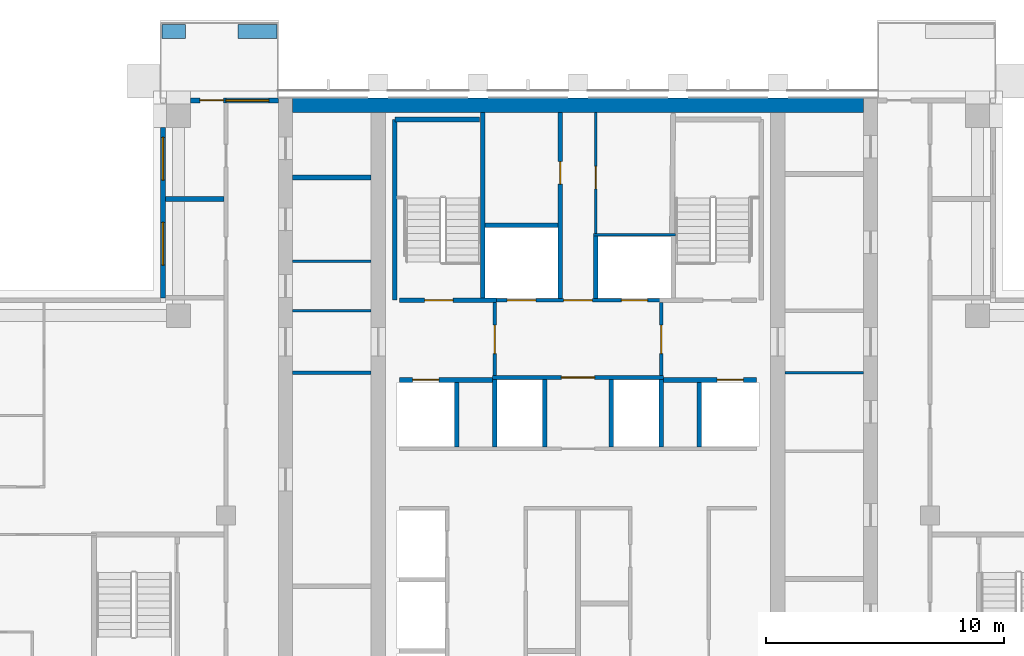
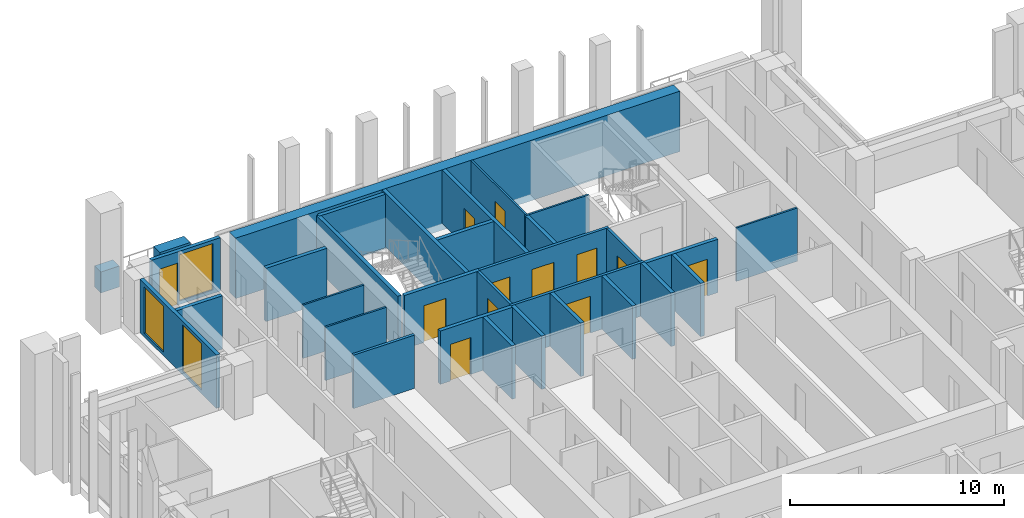
# One storey, part 12 of 18: 32 walls, 12 doors, 3 windows, 15 openings.
"""IFC4 building model written with IfcOpenShell, lengths in metres."""

from ifc_helpers import new_model, si_unit, direction, frame, frame_2d, origin, place, context, subcontext, project, spatial, rectangle, extrude, material, layer, layer_set, type_object, element, fill, save


model = new_model("IFC4")

# Units and contexts
model_context = context("Model", 3, precision=1e-05, world=origin(), true_north=direction((0.0, 1.0)))
body_context = subcontext(model_context, "Body", "Model", "MODEL_VIEW")
ifc_project = project(units=[si_unit("LENGTHUNIT", "METRE"), si_unit("AREAUNIT", "SQUARE_METRE"), si_unit("VOLUMEUNIT", "CUBIC_METRE"), si_unit("PLANEANGLEUNIT", "RADIAN"), si_unit("MASSUNIT", "GRAM", prefix="KILO")], contexts=[model_context])

# Site, building, storey
site_placement = place(None, origin())
site = spatial("IfcSite", under=ifc_project, at=site_placement, CompositionType="ELEMENT")
building_placement = place(site_placement, origin())
building = spatial("IfcBuilding", under=site, at=building_placement, Name="Vermilion Ogive Tower", CompositionType="ELEMENT")
storey_placement = place(building_placement, frame((0.0, 0.0, 185.89990234375)))
storey = spatial("IfcBuildingStorey", under=building, at=storey_placement, Name="L48", CompositionType="ELEMENT", Elevation=185.89990234375)

# Walls
ifc_material_1 = material(Name="Concrete B60", Category="concrete")
ifc_layer_1 = layer(ifc_material_1, 0.60009765625)
ifc_layer_set_1 = layer_set([ifc_layer_1], Name="Core wall 600 B60")
wall_type_1 = type_object("IfcWallType", Name="Core wall 600 B60", PredefinedType="SHEAR", material=ifc_layer_set_1)
wall_1_placement = place(storey_placement, frame((-12.0, 21.449951171875, -0.39990234375), z_axis=(0.0, 0.0, 1.0), x_axis=(1.0, 0.0, 0.0)))
element("IfcWall", 1, at=wall_1_placement, inside=storey, type_object=wall_type_1, Name="L48-CORE-N", PredefinedType="SHEAR", context=body_context, shape_type="SweptSolid", body=[
    extrude(rectangle(XDim=24.0, YDim=0.60009765625, at=frame_2d((12.0, 0.0))), origin(), (0.0, 0.0, 1.0), 3.449951171875),
])
ifc_material_2 = material(Name="Gypsum board partition on steel studs", Category="steel")
ifc_layer_2 = layer(ifc_material_2, 0.10009765625)
ifc_layer_set_2 = layer_set([ifc_layer_2], Name="Partition 100 bath")
wall_type_2 = type_object("IfcWallType", Name="Partition 100 bath", PredefinedType="PARTITIONING", material=ifc_layer_set_2)
wall_2_placement = place(storey_placement, frame((0.64990234375, 16.0, 0.0), z_axis=(0.0, 0.0, 1.0), x_axis=(1.0, 0.0, 0.0)))
element("IfcWall", 2, at=wall_2_placement, inside=storey, type_object=wall_type_2, Name="L48-CK-W-W018", PredefinedType="PARTITIONING", context=body_context, shape_type="SweptSolid", body=[
    extrude(rectangle(XDim=3.4501953125, YDim=0.10009765625, at=frame_2d((1.72509765625, 0.0))), origin(), (0.0, 0.0, 1.0), 3.050048828125),
])

# Wall, opening, door
wall_3_placement = place(storey_placement, frame((0.75, 16.050048828125, 0.0), z_axis=(0.0, 0.0, 1.0), x_axis=(0.0, 1.0, 0.0)))
wall_3 = element("IfcWall", 3, at=wall_3_placement, inside=storey, type_object=wall_type_2, Name="L48-CK-W-W030", PredefinedType="PARTITIONING", context=body_context, shape_type="SweptSolid", body=[
    extrude(rectangle(XDim=5.098876953125, YDim=0.10009765625, at=frame_2d((2.54931640625, 0.0))), origin(), (0.0, 0.0, 1.0), 3.050048828125),
])
opening_1_placement = place(wall_3_placement, frame((1.875, 0.0, 0.0)))
opening_1 = element("IfcOpeningElement", 4, at=opening_1_placement, cuts=wall_3, Name="Opening DAA431", PredefinedType="OPENING", context=body_context, shape_type="SweptSolid", body=[
    extrude(rectangle(XDim=0.949951171875, YDim=2.10009765625, at=frame_2d((0.47509765625, 1.050048828125))), frame((0.0, 0.06005859375, 0.0), z_axis=(0.0, -1.0, 0.0), x_axis=(1.0, 0.0, 0.0)), (0.0, 0.0, 1.0), 0.1201171875),
])
ifc_material_3 = material(Name="Timber door leaf", Category="wood")
door_type_1 = type_object("IfcDoorType", Name="Service door 950 x 2100 FD60", OperationType="SINGLE_SWING_LEFT", PredefinedType="DOOR", material=ifc_material_3)
door_1_placement = place(opening_1_placement, origin())
door_1 = element("IfcDoor", 5, at=door_1_placement, inside=storey, type_object=door_type_1, Name="L48-CK-D-D022", OperationType="SINGLE_SWING_LEFT", OverallHeight=2.10009765625, OverallWidth=0.949951171875, PredefinedType="DOOR", context=body_context, shape_type="SweptSolid", body=[
    extrude(rectangle(XDim=0.949951171875, YDim=2.10009765625, at=frame_2d((0.47509765625, 1.050048828125))), frame((0.0, 0.02490234375, 0.0), z_axis=(0.0, -1.0, 0.0), x_axis=(1.0, 0.0, 0.0)), (0.0, 0.0, 1.0), 0.050048828125),
])
fill(opening_1, door_1)

# Walls
for number, where, z_axis, x_axis, name in (
    (6, (-11.9990234375, 12.800048828125, 0.0), (0.0, 0.0, 1.0), (1.0, 0.0, 0.0), "L48-CKW-W-W003"),
    (7, (-11.9990234375, 14.89111328125, 0.0), (0.0, 0.0, 1.0), (1.0, 0.0, 0.0), "L48-CKW-W-W004"),
    (8, (8.700927734375, 10.199951171875, 0.0), (0.0, 0.0, 1.0), (1.0, 0.0, 0.0), "L48-CKE-W-W004"),
):
    element("IfcWall", number, at=place(storey_placement, frame(where, z_axis=z_axis, x_axis=x_axis)), inside=storey, type_object=wall_type_2, Name=name, PredefinedType="PARTITIONING", context=body_context, shape_type="SweptSolid", body=[
        extrude(rectangle(XDim=3.298095703125, YDim=0.10009765625, at=frame_2d((1.64892578125, 0.0))), origin(), (0.0, 0.0, 1.0), 3.050048828125),
    ])

# Wall, opening, door
ifc_material_4 = material(Name="Gypsum board partition on steel studs", Category="steel")
ifc_layer_3 = layer(ifc_material_4, 0.14990234375)
ifc_layer_set_3 = layer_set([ifc_layer_3], Name="Partition 150 corridor")
wall_type_3 = type_object("IfcWallType", Name="Partition 150 corridor", PredefinedType="PARTITIONING", material=ifc_layer_set_3)
wall_4_placement = place(storey_placement, frame((-3.60009765625, 10.0, 0.0), z_axis=(0.0, 0.0, 1.0), x_axis=(1.0, 0.0, 0.0)))
wall_4 = element("IfcWall", 9, at=wall_4_placement, inside=storey, type_object=wall_type_3, Name="L48-CK-W-W014", PredefinedType="PARTITIONING", context=body_context, shape_type="SweptSolid", body=[
    extrude(rectangle(XDim=7.2001953125, YDim=0.14990234375, at=frame_2d((3.60009765625, 0.0))), origin(), (0.0, 0.0, 1.0), 3.050048828125),
])
opening_2_placement = place(wall_4_placement, frame((2.900146484375, 0.0, 0.0)))
opening_2 = element("IfcOpeningElement", 10, at=opening_2_placement, cuts=wall_4, Name="Opening DAA422", PredefinedType="OPENING", context=body_context, shape_type="SweptSolid", body=[
    extrude(rectangle(XDim=1.39990234375, YDim=2.10009765625, at=frame_2d((0.699951171875, 1.050048828125))), frame((0.0, 0.0849609375, 0.0), z_axis=(0.0, -1.0, 0.0), x_axis=(1.0, 0.0, 0.0)), (0.0, 0.0, 1.0), 0.169921875),
])
ifc_material_5 = material(Name="Timber door leaf", Category="wood")
door_type_2 = type_object("IfcDoorType", Name="Lobby door 1400 x 2100 FD60S", OperationType="SINGLE_SWING_LEFT", PredefinedType="DOOR", material=ifc_material_5)
door_2_placement = place(opening_2_placement, origin())
door_2 = element("IfcDoor", 11, at=door_2_placement, inside=storey, type_object=door_type_2, Name="L48-CK-D-D017", OperationType="SINGLE_SWING_RIGHT", OverallHeight=2.10009765625, OverallWidth=1.39990234375, PredefinedType="DOOR", context=body_context, shape_type="SweptSolid", body=[
    extrude(rectangle(XDim=1.39990234375, YDim=2.10009765625, at=frame_2d((0.699951171875, 1.050048828125))), frame((0.0, 0.02490234375, 0.0), z_axis=(0.0, -1.0, 0.0), x_axis=(1.0, 0.0, 0.0)), (0.0, 0.0, 1.0), 0.050048828125),
])
fill(opening_2, door_2)

# Wall, openings, doors
wall_5_placement = place(storey_placement, frame((-3.574951171875, 13.25, 0.0), z_axis=(0.0, 0.0, 1.0), x_axis=(1.0, 0.0, 0.0)))
wall_5 = element("IfcWall", 12, at=wall_5_placement, inside=storey, type_object=wall_type_3, Name="L48-CK-W-W016", PredefinedType="PARTITIONING", context=body_context, shape_type="SweptSolid", body=[
    extrude(rectangle(XDim=7.14990234375, YDim=0.14990234375, at=frame_2d((3.574951171875, 0.0))), origin(), (0.0, 0.0, 1.0), 3.050048828125),
])
opening_3_placement = place(wall_5_placement, frame((0.599853515625, 0.0, 0.0)))
opening_3 = element("IfcOpeningElement", 13, at=opening_3_placement, cuts=wall_5, Name="Opening DAA442", PredefinedType="OPENING", context=body_context, shape_type="SweptSolid", body=[
    extrude(rectangle(XDim=1.199951171875, YDim=2.10009765625, at=frame_2d((0.60009765625, 1.050048828125))), frame((0.0, 0.0849609375, 0.0), z_axis=(0.0, -1.0, 0.0), x_axis=(1.0, 0.0, 0.0)), (0.0, 0.0, 1.0), 0.169921875),
])
opening_4_placement = place(wall_5_placement, frame((5.39990234375, 0.0, 0.0)))
opening_4 = element("IfcOpeningElement", 14, at=opening_4_placement, cuts=wall_5, Name="Opening DAA441", PredefinedType="OPENING", context=body_context, shape_type="SweptSolid", body=[
    extrude(rectangle(XDim=1.10009765625, YDim=2.10009765625, at=frame_2d((0.550048828125, 1.050048828125))), frame((0.0, 0.0849609375, 0.0), z_axis=(0.0, -1.0, 0.0), x_axis=(1.0, 0.0, 0.0)), (0.0, 0.0, 1.0), 0.169921875),
])
opening_5_placement = place(wall_5_placement, frame((2.974853515625, 0.0, 0.0)))
opening_5 = element("IfcOpeningElement", 15, at=opening_5_placement, cuts=wall_5, Name="Opening DAA423", PredefinedType="OPENING", context=body_context, shape_type="SweptSolid", body=[
    extrude(rectangle(XDim=1.199951171875, YDim=2.10009765625, at=frame_2d((0.60009765625, 1.050048828125))), frame((0.0, 0.0849609375, 0.0), z_axis=(0.0, -1.0, 0.0), x_axis=(1.0, 0.0, 0.0)), (0.0, 0.0, 1.0), 0.169921875),
])
ifc_material_6 = material(Name="Stainless steel", Category="steel")
door_type_3 = type_object("IfcDoorType", Name="Lift landing door 1100 x 2100", OperationType="SLIDING_TO_LEFT", PredefinedType="DOOR", material=ifc_material_6)
door_3_placement = place(opening_4_placement, origin())
door_3 = element("IfcDoor", 16, at=door_3_placement, inside=storey, type_object=door_type_3, Name="L48-CK-D-D019", OperationType="SLIDING_TO_LEFT", OverallHeight=2.10009765625, OverallWidth=1.10009765625, PredefinedType="DOOR", context=body_context, shape_type="SweptSolid", body=[
    extrude(rectangle(XDim=1.10009765625, YDim=2.10009765625, at=frame_2d((0.550048828125, 1.050048828125))), frame((0.0, 0.02490234375, 0.0), z_axis=(0.0, -1.0, 0.0), x_axis=(1.0, 0.0, 0.0)), (0.0, 0.0, 1.0), 0.050048828125),
])
fill(opening_4, door_3)
ifc_material_7 = material(Name="Stainless steel", Category="steel")
door_type_4 = type_object("IfcDoorType", Name="Lift landing door 1200 x 2100", OperationType="SLIDING_TO_LEFT", PredefinedType="DOOR", material=ifc_material_7)
door_4_placement = place(opening_3_placement, origin())
door_4 = element("IfcDoor", 17, at=door_4_placement, inside=storey, type_object=door_type_4, Name="L48-CK-D-D018", OperationType="SLIDING_TO_RIGHT", OverallHeight=2.10009765625, OverallWidth=1.199951171875, PredefinedType="DOOR", context=body_context, shape_type="SweptSolid", body=[
    extrude(rectangle(XDim=1.199951171875, YDim=2.10009765625, at=frame_2d((0.60009765625, 1.050048828125))), frame((0.0, 0.02490234375, 0.0), z_axis=(0.0, -1.0, 0.0), x_axis=(1.0, 0.0, 0.0)), (0.0, 0.0, 1.0), 0.050048828125),
])
fill(opening_3, door_4)
ifc_material_8 = material(Name="Timber door leaf", Category="wood")
door_type_5 = type_object("IfcDoorType", Name="Service door 1200 x 2100 FD60", OperationType="SINGLE_SWING_LEFT", PredefinedType="DOOR", material=ifc_material_8)
door_5_placement = place(opening_5_placement, origin())
door_5 = element("IfcDoor", 18, at=door_5_placement, inside=storey, type_object=door_type_5, Name="L48-CK-D-D020", OperationType="SINGLE_SWING_RIGHT", OverallHeight=2.10009765625, OverallWidth=1.199951171875, PredefinedType="DOOR", context=body_context, shape_type="SweptSolid", body=[
    extrude(rectangle(XDim=1.199951171875, YDim=2.10009765625, at=frame_2d((0.60009765625, 1.050048828125))), frame((0.0, 0.02490234375, 0.0), z_axis=(0.0, -1.0, 0.0), x_axis=(1.0, 0.0, 0.0)), (0.0, 0.0, 1.0), 0.050048828125),
])
fill(opening_5, door_5)

# Wall, opening, door
wall_6_placement = place(storey_placement, frame((-3.5, 10.074951171875, 0.0), z_axis=(0.0, 0.0, 1.0), x_axis=(0.0, 1.0, 0.0)))
wall_6 = element("IfcWall", 19, at=wall_6_placement, inside=storey, type_object=wall_type_3, Name="L48-CK-W-W024", PredefinedType="PARTITIONING", context=body_context, shape_type="SweptSolid", body=[
    extrude(rectangle(XDim=3.074951171875, YDim=0.14990234375, at=frame_2d((1.53759765625, 0.0))), origin(), (0.0, 0.0, 1.0), 3.050048828125),
])
opening_6_placement = place(wall_6_placement, frame((0.925048828125, 0.0, 0.0)))
opening_6 = element("IfcOpeningElement", 20, at=opening_6_placement, cuts=wall_6, Name="Opening DAA419", PredefinedType="OPENING", context=body_context, shape_type="SweptSolid", body=[
    extrude(rectangle(XDim=1.199951171875, YDim=2.10009765625, at=frame_2d((0.60009765625, 1.050048828125))), frame((0.0, 0.0849609375, 0.0), z_axis=(0.0, -1.0, 0.0), x_axis=(1.0, 0.0, 0.0)), (0.0, 0.0, 1.0), 0.169921875),
])
ifc_material_9 = material(Name="Timber door leaf", Category="wood")
door_type_6 = type_object("IfcDoorType", Name="Lobby door 1200 x 2100 FD60S", OperationType="SINGLE_SWING_LEFT", PredefinedType="DOOR", material=ifc_material_9)
door_6_placement = place(opening_6_placement, origin())
door_6 = element("IfcDoor", 21, at=door_6_placement, inside=storey, type_object=door_type_6, Name="L48-CK-D-D023", OperationType="SINGLE_SWING_RIGHT", OverallHeight=2.10009765625, OverallWidth=1.199951171875, PredefinedType="DOOR", context=body_context, shape_type="SweptSolid", body=[
    extrude(rectangle(XDim=1.199951171875, YDim=2.10009765625, at=frame_2d((0.60009765625, 1.050048828125))), frame((0.0, 0.02490234375, 0.0), z_axis=(0.0, -1.0, 0.0), x_axis=(1.0, 0.0, 0.0)), (0.0, 0.0, 1.0), 0.050048828125),
])
fill(opening_6, door_6)

wall_7_placement = place(storey_placement, frame((3.5, 10.074951171875, 0.0), z_axis=(0.0, 0.0, 1.0), x_axis=(0.0, 1.0, 0.0)))
wall_7 = element("IfcWall", 22, at=wall_7_placement, inside=storey, type_object=wall_type_3, Name="L48-CK-W-W034", PredefinedType="PARTITIONING", context=body_context, shape_type="SweptSolid", body=[
    extrude(rectangle(XDim=3.074951171875, YDim=0.14990234375, at=frame_2d((1.53759765625, 0.0))), origin(), (0.0, 0.0, 1.0), 3.050048828125),
])
opening_7_placement = place(wall_7_placement, frame((0.925048828125, 0.0, 0.0)))
opening_7 = element("IfcOpeningElement", 23, at=opening_7_placement, cuts=wall_7, Name="Opening DAA420", PredefinedType="OPENING", context=body_context, shape_type="SweptSolid", body=[
    extrude(rectangle(XDim=1.199951171875, YDim=2.10009765625, at=frame_2d((0.60009765625, 1.050048828125))), frame((0.0, 0.0849609375, 0.0), z_axis=(0.0, -1.0, 0.0), x_axis=(1.0, 0.0, 0.0)), (0.0, 0.0, 1.0), 0.169921875),
])
door_7_placement = place(opening_7_placement, origin())
door_7 = element("IfcDoor", 24, at=door_7_placement, inside=storey, type_object=door_type_6, Name="L48-CK-D-D024", OperationType="SINGLE_SWING_LEFT", OverallHeight=2.10009765625, OverallWidth=1.199951171875, PredefinedType="DOOR", context=body_context, shape_type="SweptSolid", body=[
    extrude(rectangle(XDim=1.199951171875, YDim=2.10009765625, at=frame_2d((0.60009765625, 1.050048828125))), frame((0.0, 0.02490234375, 0.0), z_axis=(0.0, -1.0, 0.0), x_axis=(1.0, 0.0, 0.0)), (0.0, 0.0, 1.0), 0.050048828125),
])
fill(opening_7, door_7)

# Walls
wall_8_placement = place(storey_placement, frame((-11.9990234375, 10.199951171875, 0.0), z_axis=(0.0, 0.0, 1.0), x_axis=(1.0, 0.0, 0.0)))
element("IfcWall", 25, at=wall_8_placement, inside=storey, type_object=wall_type_3, Name="L48-CKW-W-W002", PredefinedType="PARTITIONING", context=body_context, shape_type="SweptSolid", body=[
    extrude(rectangle(XDim=3.298095703125, YDim=0.14990234375, at=frame_2d((1.64892578125, 0.0))), origin(), (0.0, 0.0, 1.0), 3.050048828125),
])
ifc_material_10 = material(Name="Gypsum board partition on steel studs", Category="steel")
ifc_layer_4 = layer(ifc_material_10, 0.199951171875)
ifc_layer_set_4 = layer_set([ifc_layer_4], Name="Partition 200 party")
wall_type_4 = type_object("IfcWallType", Name="Partition 200 party", PredefinedType="PARTITIONING", material=ifc_layer_set_4)
wall_9_placement = place(storey_placement, frame((-17.35009765625, 17.5, 0.0), z_axis=(0.0, 0.0, 1.0), x_axis=(1.0, 0.0, 0.0)))
element("IfcWall", 26, at=wall_9_placement, inside=storey, type_object=wall_type_4, Name="L48-W-W027", PredefinedType="PARTITIONING", context=body_context, shape_type="SweptSolid", body=[
    extrude(rectangle(XDim=2.47509765625, YDim=0.199951171875, at=frame_2d((1.237548828125, 0.0))), origin(), (0.0, 0.0, 1.0), 3.050048828125),
])

# Wall, opening, door
wall_10_placement = place(storey_placement, frame((-7.5, 9.89990234375, 0.0), z_axis=(0.0, 0.0, 1.0), x_axis=(1.0, 0.0, 0.0)))
wall_10 = element("IfcWall", 27, at=wall_10_placement, inside=storey, type_object=wall_type_4, Name="L48-CK-W-W012", PredefinedType="PARTITIONING", context=body_context, shape_type="SweptSolid", body=[
    extrude(rectangle(XDim=3.89990234375, YDim=0.199951171875, at=frame_2d((1.949951171875, 0.0))), origin(), (0.0, 0.0, 1.0), 3.050048828125),
])
opening_8_placement = place(wall_10_placement, frame((0.550048828125, 0.0, 0.0)))
opening_8 = element("IfcOpeningElement", 28, at=opening_8_placement, cuts=wall_10, Name="Opening DAA439", PredefinedType="OPENING", context=body_context, shape_type="SweptSolid", body=[
    extrude(rectangle(XDim=1.10009765625, YDim=2.10009765625, at=frame_2d((0.550048828125, 1.050048828125))), frame((0.0, 0.10986328125, 0.0), z_axis=(0.0, -1.0, 0.0), x_axis=(1.0, 0.0, 0.0)), (0.0, 0.0, 1.0), 0.219970703125),
])
door_8_placement = place(opening_8_placement, origin())
door_8 = element("IfcDoor", 29, at=door_8_placement, inside=storey, type_object=door_type_3, Name="L48-CK-D-D013", OperationType="SLIDING_TO_RIGHT", OverallHeight=2.10009765625, OverallWidth=1.10009765625, PredefinedType="DOOR", context=body_context, shape_type="SweptSolid", body=[
    extrude(rectangle(XDim=1.10009765625, YDim=2.10009765625, at=frame_2d((0.550048828125, 1.050048828125))), frame((0.0, 0.02490234375, 0.0), z_axis=(0.0, -1.0, 0.0), x_axis=(1.0, 0.0, 0.0)), (0.0, 0.0, 1.0), 0.050048828125),
])
fill(opening_8, door_8)

wall_11_placement = place(storey_placement, frame((3.60009765625, 9.89990234375, 0.0), z_axis=(0.0, 0.0, 1.0), x_axis=(1.0, 0.0, 0.0)))
wall_11 = element("IfcWall", 30, at=wall_11_placement, inside=storey, type_object=wall_type_4, Name="L48-CK-W-W013", PredefinedType="PARTITIONING", context=body_context, shape_type="SweptSolid", body=[
    extrude(rectangle(XDim=3.89990234375, YDim=0.199951171875, at=frame_2d((1.949951171875, 0.0))), origin(), (0.0, 0.0, 1.0), 3.050048828125),
])
opening_9_placement = place(wall_11_placement, frame((2.25, 0.0, 0.0)))
opening_9 = element("IfcOpeningElement", 31, at=opening_9_placement, cuts=wall_11, Name="Opening DAA440", PredefinedType="OPENING", context=body_context, shape_type="SweptSolid", body=[
    extrude(rectangle(XDim=1.10009765625, YDim=2.10009765625, at=frame_2d((0.550048828125, 1.050048828125))), frame((0.0, 0.10986328125, 0.0), z_axis=(0.0, -1.0, 0.0), x_axis=(1.0, 0.0, 0.0)), (0.0, 0.0, 1.0), 0.219970703125),
])
door_9_placement = place(opening_9_placement, origin())
door_9 = element("IfcDoor", 32, at=door_9_placement, inside=storey, type_object=door_type_3, Name="L48-CK-D-D015", OperationType="SLIDING_TO_LEFT", OverallHeight=2.10009765625, OverallWidth=1.10009765625, PredefinedType="DOOR", context=body_context, shape_type="SweptSolid", body=[
    extrude(rectangle(XDim=1.10009765625, YDim=2.10009765625, at=frame_2d((0.550048828125, 1.050048828125))), frame((0.0, 0.02490234375, 0.0), z_axis=(0.0, -1.0, 0.0), x_axis=(1.0, 0.0, 0.0)), (0.0, 0.0, 1.0), 0.050048828125),
])
fill(opening_9, door_9)

# Walls
wall_12_placement = place(storey_placement, frame((-3.89990234375, 16.39990234375, 0.0), z_axis=(0.0, 0.0, 1.0), x_axis=(1.0, 0.0, 0.0)))
element("IfcWall", 33, at=wall_12_placement, inside=storey, type_object=wall_type_4, Name="L48-CK-W-W019", PredefinedType="PARTITIONING", context=body_context, shape_type="SweptSolid", body=[
    extrude(rectangle(XDim=3.0498046875, YDim=0.199951171875, at=frame_2d((1.52490234375, 0.0))), origin(), (0.0, 0.0, 1.0), 3.050048828125),
])
wall_13_placement = place(storey_placement, frame((-5.10009765625, 7.074951171875, 0.0), z_axis=(0.0, 0.0, 1.0), x_axis=(0.0, 1.0, 0.0)))
element("IfcWall", 34, at=wall_13_placement, inside=storey, type_object=wall_type_4, Name="L48-CK-W-W021", PredefinedType="PARTITIONING", context=body_context, shape_type="SweptSolid", body=[
    extrude(rectangle(XDim=2.72509765625, YDim=0.199951171875, at=frame_2d((1.362548828125, 0.0))), origin(), (0.0, 0.0, 1.0), 3.050048828125),
])
for number, where, z_axis, x_axis, name in (
    (35, (-3.5, 7.074951171875, 0.0), (0.0, 0.0, 1.0), (0.0, 1.0, 0.0), "L48-CK-W-W023"),
    (36, (-1.39990234375, 7.074951171875, 0.0), (0.0, 0.0, 1.0), (0.0, 1.0, 0.0), "L48-CK-W-W026"),
):
    element("IfcWall", number, at=place(storey_placement, frame(where, z_axis=z_axis, x_axis=x_axis)), inside=storey, type_object=wall_type_4, Name=name, PredefinedType="PARTITIONING", context=body_context, shape_type="SweptSolid", body=[
        extrude(rectangle(XDim=2.85009765625, YDim=0.199951171875, at=frame_2d((1.425048828125, 0.0))), origin(), (0.0, 0.0, 1.0), 3.050048828125),
    ])

# Wall, opening, door
wall_14_placement = place(storey_placement, frame((-0.75, 13.324951171875, 0.0), z_axis=(0.0, 0.0, 1.0), x_axis=(0.0, 1.0, 0.0)))
wall_14 = element("IfcWall", 37, at=wall_14_placement, inside=storey, type_object=wall_type_4, Name="L48-CK-W-W027", PredefinedType="PARTITIONING", context=body_context, shape_type="SweptSolid", body=[
    extrude(rectangle(XDim=7.823974609375, YDim=0.199951171875, at=frame_2d((3.912109375, 0.0))), origin(), (0.0, 0.0, 1.0), 3.050048828125),
])
opening_10_placement = place(wall_14_placement, frame((4.800048828125, 0.0, 0.0)))
opening_10 = element("IfcOpeningElement", 38, at=opening_10_placement, cuts=wall_14, Name="Opening DAA430", PredefinedType="OPENING", context=body_context, shape_type="SweptSolid", body=[
    extrude(rectangle(XDim=0.949951171875, YDim=2.10009765625, at=frame_2d((0.47509765625, 1.050048828125))), frame((0.0, 0.10986328125, 0.0), z_axis=(0.0, -1.0, 0.0), x_axis=(1.0, 0.0, 0.0)), (0.0, 0.0, 1.0), 0.219970703125),
])
door_10_placement = place(opening_10_placement, origin())
door_10 = element("IfcDoor", 39, at=door_10_placement, inside=storey, type_object=door_type_1, Name="L48-CK-D-D021", OperationType="SINGLE_SWING_RIGHT", OverallHeight=2.10009765625, OverallWidth=0.949951171875, PredefinedType="DOOR", context=body_context, shape_type="SweptSolid", body=[
    extrude(rectangle(XDim=0.949951171875, YDim=2.10009765625, at=frame_2d((0.47509765625, 1.050048828125))), frame((0.0, 0.02490234375, 0.0), z_axis=(0.0, -1.0, 0.0), x_axis=(1.0, 0.0, 0.0)), (0.0, 0.0, 1.0), 0.050048828125),
])
fill(opening_10, door_10)

# Walls
wall_15_placement = place(storey_placement, frame((0.75, 13.324951171875, 0.0), z_axis=(0.0, 0.0, 1.0), x_axis=(0.0, 1.0, 0.0)))
element("IfcWall", 40, at=wall_15_placement, inside=storey, type_object=wall_type_4, Name="L48-CK-W-W029", PredefinedType="PARTITIONING", context=body_context, shape_type="SweptSolid", body=[
    extrude(rectangle(XDim=2.625, YDim=0.199951171875, at=frame_2d((1.3125, 0.0))), origin(), (0.0, 0.0, 1.0), 3.050048828125),
])
for number, where, z_axis, x_axis, name in (
    (41, (1.39990234375, 7.074951171875, 0.0), (0.0, 0.0, 1.0), (0.0, 1.0, 0.0), "L48-CK-W-W031"),
    (42, (3.5, 7.074951171875, 0.0), (0.0, 0.0, 1.0), (0.0, 1.0, 0.0), "L48-CK-W-W033"),
):
    element("IfcWall", number, at=place(storey_placement, frame(where, z_axis=z_axis, x_axis=x_axis)), inside=storey, type_object=wall_type_4, Name=name, PredefinedType="PARTITIONING", context=body_context, shape_type="SweptSolid", body=[
        extrude(rectangle(XDim=2.85009765625, YDim=0.199951171875, at=frame_2d((1.425048828125, 0.0))), origin(), (0.0, 0.0, 1.0), 3.050048828125),
    ])
wall_16_placement = place(storey_placement, frame((5.10009765625, 7.074951171875, 0.0), z_axis=(0.0, 0.0, 1.0), x_axis=(0.0, 1.0, 0.0)))
element("IfcWall", 43, at=wall_16_placement, inside=storey, type_object=wall_type_4, Name="L48-CK-W-W037", PredefinedType="PARTITIONING", context=body_context, shape_type="SweptSolid", body=[
    extrude(rectangle(XDim=2.72509765625, YDim=0.199951171875, at=frame_2d((1.362548828125, 0.0))), origin(), (0.0, 0.0, 1.0), 3.050048828125),
])
wall_17_placement = place(storey_placement, frame((-11.9990234375, 18.410888671875, 0.0), z_axis=(0.0, 0.0, 1.0), x_axis=(1.0, 0.0, 0.0)))
element("IfcWall", 44, at=wall_17_placement, inside=storey, type_object=wall_type_4, Name="L48-CKW-W-W005", PredefinedType="PARTITIONING", context=body_context, shape_type="SweptSolid", body=[
    extrude(rectangle(XDim=3.298095703125, YDim=0.199951171875, at=frame_2d((1.64892578125, 0.0))), origin(), (0.0, 0.0, 1.0), 3.050048828125),
])

# Wall, opening, door
ifc_material_11 = material(Name="Concrete B60", Category="concrete")
ifc_layer_5 = layer(ifc_material_11, 0.199951171875)
ifc_layer_set_5 = layer_set([ifc_layer_5], Name="Stair shaft wall 200 Concrete B60")
wall_type_5 = type_object("IfcWallType", Name="Stair shaft wall 200 Concrete B60", PredefinedType="SOLIDWALL", material=ifc_layer_set_5)
wall_18_placement = place(storey_placement, frame((-7.5, 13.25, 0.0), z_axis=(0.0, 0.0, 1.0), x_axis=(1.0, 0.0, 0.0)))
wall_18 = element("IfcWall", 45, at=wall_18_placement, inside=storey, type_object=wall_type_5, Name="L48-CK-W-W015", PredefinedType="SOLIDWALL", context=body_context, shape_type="SweptSolid", body=[
    extrude(rectangle(XDim=4.074951171875, YDim=0.199951171875, at=frame_2d((2.03759765625, 0.0))), origin(), (0.0, 0.0, 1.0), 3.050048828125),
])
opening_11_placement = place(wall_18_placement, frame((1.050048828125, 0.0, 0.0)))
opening_11 = element("IfcOpeningElement", 46, at=opening_11_placement, cuts=wall_18, Name="Opening DAA432", PredefinedType="OPENING", context=body_context, shape_type="SweptSolid", body=[
    extrude(rectangle(XDim=1.199951171875, YDim=2.10009765625, at=frame_2d((0.60009765625, 1.050048828125))), frame((0.0, 0.10986328125, 0.0), z_axis=(0.0, -1.0, 0.0), x_axis=(1.0, 0.0, 0.0)), (0.0, 0.0, 1.0), 0.219970703125),
])
ifc_material_12 = material(Name="Timber door leaf", Category="wood")
door_type_7 = type_object("IfcDoorType", Name="Stair door 1200 x 2100 FD60S", OperationType="SINGLE_SWING_LEFT", PredefinedType="DOOR", material=ifc_material_12)
door_11_placement = place(opening_11_placement, origin())
door_11 = element("IfcDoor", 47, at=door_11_placement, inside=storey, type_object=door_type_7, Name="L48-CK-D-D012", OperationType="SINGLE_SWING_LEFT", OverallHeight=2.10009765625, OverallWidth=1.199951171875, PredefinedType="DOOR", context=body_context, shape_type="SweptSolid", body=[
    extrude(rectangle(XDim=1.199951171875, YDim=2.10009765625, at=frame_2d((0.60009765625, 1.050048828125))), frame((0.0, 0.02490234375, 0.0), z_axis=(0.0, -1.0, 0.0), x_axis=(1.0, 0.0, 0.0)), (0.0, 0.0, 1.0), 0.050048828125),
])
fill(opening_11, door_11)

# Walls
wall_19_placement = place(storey_placement, frame((-4.0, 13.35009765625, 0.0), z_axis=(0.0, 0.0, 1.0), x_axis=(0.0, 1.0, 0.0)))
element("IfcWall", 48, at=wall_19_placement, inside=storey, type_object=wall_type_5, Name="L48-CK-W-W022", PredefinedType="SOLIDWALL", context=body_context, shape_type="SweptSolid", body=[
    extrude(rectangle(XDim=7.798828125, YDim=0.199951171875, at=frame_2d((3.8994140625, 0.0))), origin(), (0.0, 0.0, 1.0), 3.050048828125),
])
wall_20_placement = place(storey_placement, frame((-7.699951171875, 13.25, 0.0), z_axis=(0.0, 0.0, 1.0), x_axis=(0.0, 1.0, 0.0)))
element("IfcWall", 49, at=wall_20_placement, inside=storey, type_object=wall_type_5, Name="L48-SW-R018-W1", PredefinedType="SOLIDWALL", context=body_context, shape_type="SweptSolid", body=[
    extrude(rectangle(XDim=7.60009765625, YDim=0.199951171875, at=frame_2d((3.800048828125, 0.0))), origin(), (0.0, 0.0, 1.0), 3.050048828125),
])
wall_21_placement = place(storey_placement, frame((-7.699951171875, 20.85009765625, 0.0), z_axis=(0.0, 0.0, 1.0), x_axis=(1.0, 0.0, 0.0)))
element("IfcWall", 50, at=wall_21_placement, inside=storey, type_object=wall_type_5, Name="L48-SW-R018-N1", PredefinedType="SOLIDWALL", context=body_context, shape_type="SweptSolid", body=[
    extrude(rectangle(XDim=3.550048828125, YDim=0.199951171875, at=frame_2d((1.77490234375, 0.0))), origin(), (0.0, 0.0, 1.0), 3.050048828125),
])
ifc_material_13 = material(Name="Concrete B40", Category="concrete")
ifc_layer_6 = layer(ifc_material_13, 0.60009765625)
ifc_layer_set_6 = layer_set([ifc_layer_6], Name="Structural planter")
wall_type_6 = type_object("IfcWallType", Name="Structural planter", PredefinedType="USERDEFINED", material=ifc_layer_set_6)
wall_22_placement = place(storey_placement, frame((-12.659912109375, 24.550048828125, -0.039794921875), z_axis=(0.0, 0.0, 1.0), x_axis=(-1.0, 0.0, 0.0)))
element("IfcWall", 51, at=wall_22_placement, inside=storey, type_object=wall_type_6, Name="Planter N201A1", ObjectType="PLANTER", PredefinedType="USERDEFINED", context=body_context, shape_type="SweptSolid", body=[
    extrude(rectangle(XDim=1.64013671875, YDim=0.60009765625, at=frame_2d((0.820068359375, 0.0))), origin(), (0.0, 0.0, 1.0), 1.199951171875),
])
wall_23_placement = place(storey_placement, frame((-16.5, 24.550048828125, -0.039794921875), z_axis=(0.0, 0.0, 1.0), x_axis=(-1.0, 0.0, 0.0)))
element("IfcWall", 52, at=wall_23_placement, inside=storey, type_object=wall_type_6, Name="Planter N201A2", ObjectType="PLANTER", PredefinedType="USERDEFINED", context=body_context, shape_type="SweptSolid", body=[
    extrude(rectangle(XDim=0.989990234375, YDim=0.60009765625, at=frame_2d((0.4951171875, 0.0))), origin(), (0.0, 0.0, 1.0), 1.199951171875),
])

# Wall, openings, door, window
ifc_material_14 = material(Name="Aluminium window wall framing", Category="aluminium")
ifc_layer_7 = layer(ifc_material_14, 0.199951171875)
ifc_layer_set_7 = layer_set([ifc_layer_7], Name="Window wall")
wall_type_7 = type_object("IfcWallType", Name="Window wall", PredefinedType="STANDARD", material=ifc_layer_set_7)
wall_24_placement = place(storey_placement, frame((-12.60009765625, 21.64990234375, 0.0), z_axis=(0.0, 0.0, 1.0), x_axis=(-1.0, 0.0, 0.0)))
wall_24 = element("IfcWall", 53, at=wall_24_placement, inside=storey, type_object=wall_type_7, Name="Window wall N21", PredefinedType="STANDARD", context=body_context, shape_type="SweptSolid", body=[
    extrude(rectangle(XDim=3.699951171875, YDim=0.199951171875, at=frame_2d((1.85009765625, 0.0))), origin(), (0.0, 0.0, 1.0), 3.050048828125),
])
opening_12_placement = place(wall_24_placement, frame((0.39990234375, 0.0, 0.199951171875)))
opening_12 = element("IfcOpeningElement", 54, at=opening_12_placement, cuts=wall_24, Name="Opening W1-N296", PredefinedType="OPENING", context=body_context, shape_type="SweptSolid", body=[
    extrude(rectangle(XDim=1.800048828125, YDim=2.64990234375, at=frame_2d((0.89990234375, 1.324951171875))), frame((0.0, 0.10986328125, 0.0), z_axis=(0.0, -1.0, 0.0), x_axis=(1.0, 0.0, 0.0)), (0.0, 0.0, 1.0), 0.219970703125),
])
opening_13_placement = place(wall_24_placement, frame((2.300048828125, 0.0, 0.0)))
opening_13 = element("IfcOpeningElement", 55, at=opening_13_placement, cuts=wall_24, Name="Opening D1-N296", PredefinedType="OPENING", context=body_context, shape_type="SweptSolid", body=[
    extrude(rectangle(XDim=1.0, YDim=2.39990234375, at=frame_2d((0.5, 1.199951171875))), frame((0.0, 0.10986328125, 0.0), z_axis=(0.0, -1.0, 0.0), x_axis=(1.0, 0.0, 0.0)), (0.0, 0.0, 1.0), 0.219970703125),
])
ifc_material_15 = material(Name="Aluminium framed glazed door", Category="aluminium")
door_type_8 = type_object("IfcDoorType", Name="Balcony door D1", OperationType="SINGLE_SWING_LEFT", PredefinedType="DOOR", material=ifc_material_15)
door_12_placement = place(opening_13_placement, origin())
door_12 = element("IfcDoor", 56, at=door_12_placement, inside=storey, type_object=door_type_8, Name="Balcony door N296", OperationType="SINGLE_SWING_LEFT", OverallHeight=2.39990234375, OverallWidth=1.0, PredefinedType="DOOR", context=body_context, shape_type="SweptSolid", body=[
    extrude(rectangle(XDim=1.0, YDim=2.39990234375, at=frame_2d((0.5, 1.199951171875))), frame((0.0, 0.02490234375, 0.0), z_axis=(0.0, -1.0, 0.0), x_axis=(1.0, 0.0, 0.0)), (0.0, 0.0, 1.0), 0.050048828125),
])
fill(opening_13, door_12)
ifc_material_16 = material(Name="Aluminium framed double glazing", Category="aluminium")
window_type = type_object("IfcWindowType", Name="Guest window W1", PartitioningType="SINGLE_PANEL", PredefinedType="WINDOW", material=ifc_material_16)
window_1_placement = place(opening_12_placement, origin())
window_1 = element("IfcWindow", 57, at=window_1_placement, inside=storey, type_object=window_type, Name="Window N296", OverallHeight=2.64990234375, OverallWidth=1.800048828125, PartitioningType="SINGLE_PANEL", PredefinedType="WINDOW", context=body_context, shape_type="SweptSolid", body=[
    extrude(rectangle(XDim=1.800048828125, YDim=2.64990234375, at=frame_2d((0.89990234375, 1.324951171875))), frame((0.0, 0.030029296875, 0.0), z_axis=(0.0, -1.0, 0.0), x_axis=(1.0, 0.0, 0.0)), (0.0, 0.0, 1.0), 0.06005859375),
])
fill(opening_12, window_1)

# Wall, openings, windows
wall_25_placement = place(storey_placement, frame((-17.449951171875, 20.5, 0.0), z_axis=(0.0, 0.0, 1.0), x_axis=(0.0, -1.0, 0.0)))
wall_25 = element("IfcWall", 58, at=wall_25_placement, inside=storey, type_object=wall_type_7, Name="Window wall X51", PredefinedType="STANDARD", context=body_context, shape_type="SweptSolid", body=[
    extrude(rectangle(XDim=7.14990234375, YDim=0.199951171875, at=frame_2d((3.574951171875, 0.0))), origin(), (0.0, 0.0, 1.0), 3.050048828125),
])
opening_14_placement = place(wall_25_placement, frame((3.97509765625, 0.0, 0.199951171875)))
opening_14 = element("IfcOpeningElement", 59, at=opening_14_placement, cuts=wall_25, Name="Opening W1-X503", PredefinedType="OPENING", context=body_context, shape_type="SweptSolid", body=[
    extrude(rectangle(XDim=1.800048828125, YDim=2.64990234375, at=frame_2d((0.89990234375, 1.324951171875))), frame((0.0, 0.10986328125, 0.0), z_axis=(0.0, -1.0, 0.0), x_axis=(1.0, 0.0, 0.0)), (0.0, 0.0, 1.0), 0.219970703125),
])
opening_15_placement = place(wall_25_placement, frame((0.39990234375, 0.0, 0.199951171875)))
opening_15 = element("IfcOpeningElement", 60, at=opening_15_placement, cuts=wall_25, Name="Opening W1-X504", PredefinedType="OPENING", context=body_context, shape_type="SweptSolid", body=[
    extrude(rectangle(XDim=1.800048828125, YDim=2.64990234375, at=frame_2d((0.89990234375, 1.324951171875))), frame((0.0, 0.10986328125, 0.0), z_axis=(0.0, -1.0, 0.0), x_axis=(1.0, 0.0, 0.0)), (0.0, 0.0, 1.0), 0.219970703125),
])
window_2_placement = place(opening_14_placement, origin())
window_2 = element("IfcWindow", 61, at=window_2_placement, inside=storey, type_object=window_type, Name="Window X503", OverallHeight=2.64990234375, OverallWidth=1.800048828125, PartitioningType="SINGLE_PANEL", PredefinedType="WINDOW", context=body_context, shape_type="SweptSolid", body=[
    extrude(rectangle(XDim=1.800048828125, YDim=2.64990234375, at=frame_2d((0.89990234375, 1.324951171875))), frame((0.0, 0.030029296875, 0.0), z_axis=(0.0, -1.0, 0.0), x_axis=(1.0, 0.0, 0.0)), (0.0, 0.0, 1.0), 0.06005859375),
])
fill(opening_14, window_2)
window_3_placement = place(opening_15_placement, origin())
window_3 = element("IfcWindow", 62, at=window_3_placement, inside=storey, type_object=window_type, Name="Window X504", OverallHeight=2.64990234375, OverallWidth=1.800048828125, PartitioningType="SINGLE_PANEL", PredefinedType="WINDOW", context=body_context, shape_type="SweptSolid", body=[
    extrude(rectangle(XDim=1.800048828125, YDim=2.64990234375, at=frame_2d((0.89990234375, 1.324951171875))), frame((0.0, 0.030029296875, 0.0), z_axis=(0.0, -1.0, 0.0), x_axis=(1.0, 0.0, 0.0)), (0.0, 0.0, 1.0), 0.06005859375),
])
fill(opening_15, window_3)

save(model, "model.ifc")
